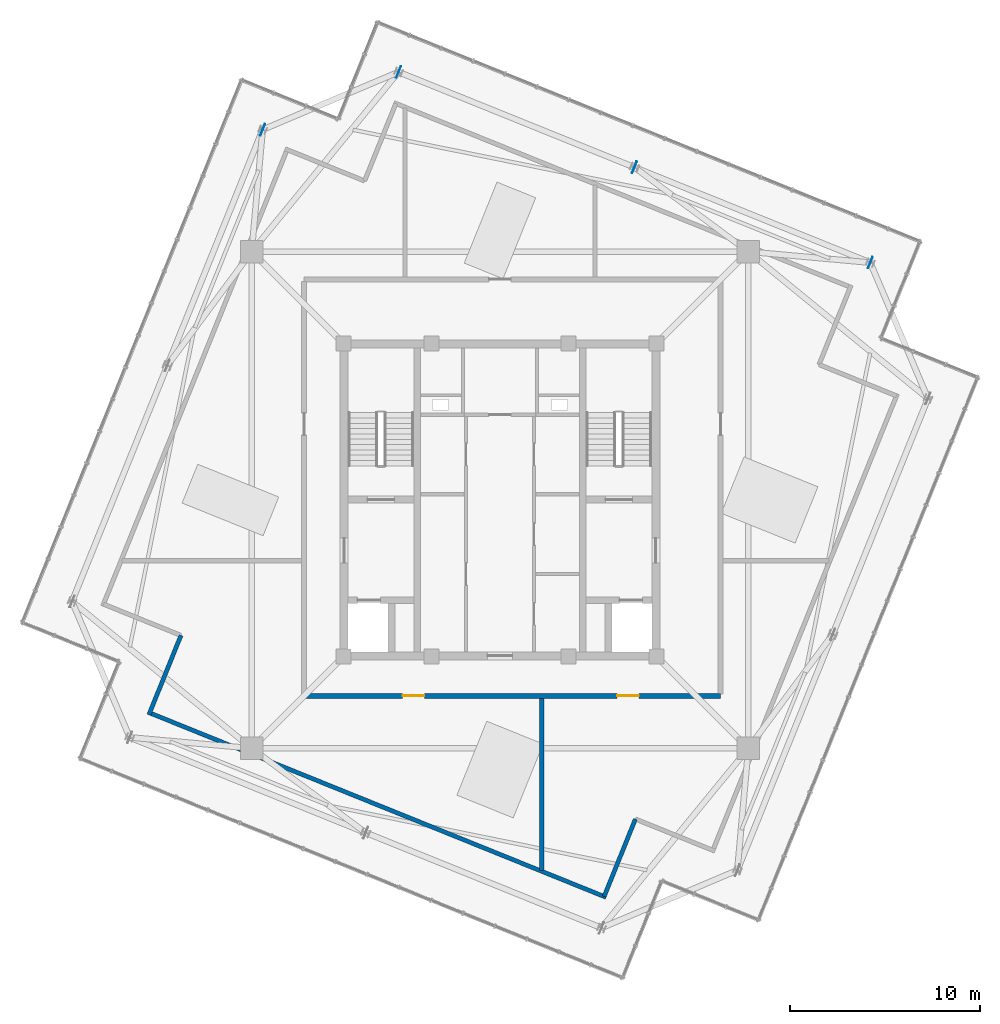
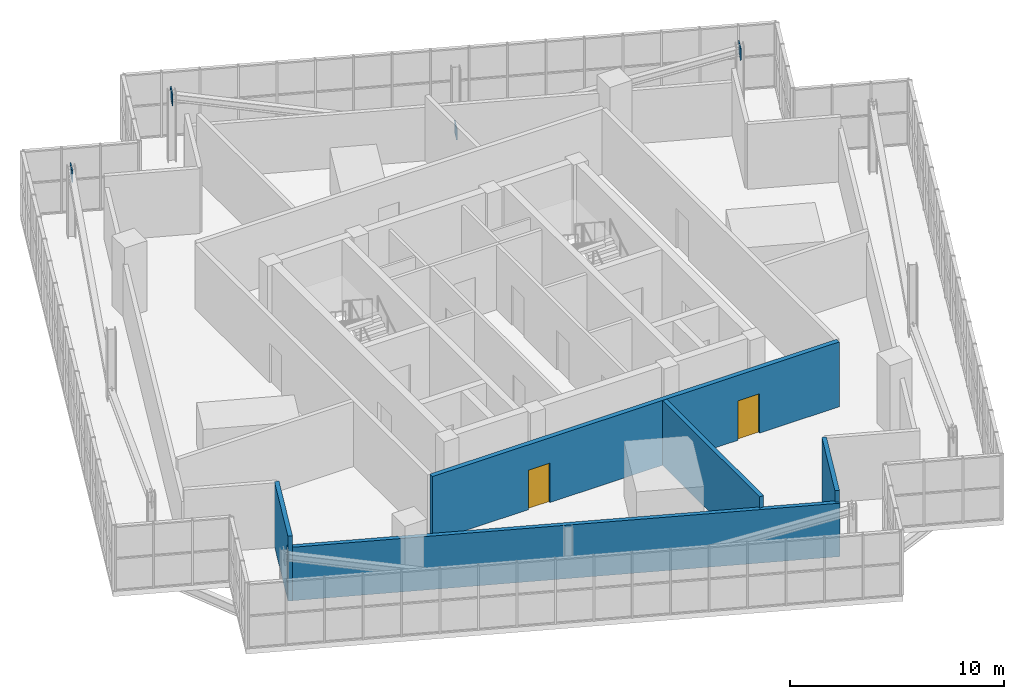
# One storey, part 22 of 26: 5 walls, 4 plates, 2 doors, 2 openings.
"""IFC4 building model written with IfcOpenShell, lengths in metres."""

from ifc_helpers import new_model, si_unit, direction, frame, frame_2d, origin, origin_2d, place, context, subcontext, project, spatial, rectangle, extrude, source, transform, mapped, material, layer, layer_set, type_object, element, fill, save


model = new_model("IFC4")

# Units and contexts
model_context = context("Model", 3, precision=1e-05, world=origin(), true_north=direction((0.0, 1.0)))
body_context = subcontext(model_context, "Body", "Model", "MODEL_VIEW")
ifc_project = project(units=[si_unit("LENGTHUNIT", "METRE"), si_unit("AREAUNIT", "SQUARE_METRE"), si_unit("VOLUMEUNIT", "CUBIC_METRE"), si_unit("PLANEANGLEUNIT", "RADIAN"), si_unit("MASSUNIT", "GRAM", prefix="KILO"), si_unit("THERMODYNAMICTEMPERATUREUNIT", "KELVIN")], contexts=[model_context])

# Site, building, storey
site_placement = place(None, origin())
site = spatial("IfcSite", under=ifc_project, at=site_placement, CompositionType="ELEMENT")
building_placement = place(site_placement, origin())
building = spatial("IfcBuilding", under=site, at=building_placement, Name="Kosmvard Interchange Tower", CompositionType="ELEMENT")
storey_placement = place(building_placement, frame((0.0, 0.0, 333.60009765625)))
storey = spatial("IfcBuildingStorey", under=building, at=storey_placement, Name="L82", CompositionType="ELEMENT", Elevation=333.60009765625)

# Plates
ifc_material_1 = material(Name="Steel S355", Category="steel")
ifc_layer_1 = layer(ifc_material_1, 0.0380859375, Name="Steel S355")
ifc_layer_set_1 = layer_set([ifc_layer_1], Name="Steel S355")
plate_type = type_object("IfcPlateType", Name="Lantern Base & Chord End Cap Stiffener 750x750x38 S355", PredefinedType="USERDEFINED", material=ifc_layer_set_1)
shared_shape_1 = source(origin(), body_context, "Body", "SweptSolid", [
    extrude(rectangle(XDim=0.64990234375, YDim=0.0380859375, at=origin_2d()), origin(), (0.0, 0.0, 1.0), 0.64990234375),
])
for number, where, z_axis, x_axis, name in (
    (1, (19.50439453125, 12.504150390625, 3.324951171875), (0.0, 0.0, 1.0), (0.374606593416, 0.927183854567, 0.0), "L82 Crown Diagrid Node Gusset Plate LAE"),
    (2, (-5.34423828125, 22.54345703125, 3.324951171875), (0.0, 0.0, 1.0), (0.374606593416, 0.927183854567, 0.0), "L82 Crown Diagrid Node Gusset Plate LBE"),
    (3, (7.080078125, 17.523681640625, 0.094970703125), (0.0, 0.0, 1.0), (0.374606593416, 0.927183854567, 0.0), "L82 Crown Diagrid Node Gusset Plate LME"),
    (4, (-12.504150390625, 19.50439453125, 3.324951171875), (0.0, 0.0, 1.0), (0.374606593416, 0.927183854567, 0.0), "L82 Crown Diagrid Node Gusset Plate LAN"),
):
    element("IfcPlate", number, at=place(storey_placement, frame(where, z_axis=z_axis, x_axis=x_axis)), inside=storey, type_object=plate_type, Name=name, ObjectType="STIFFENER_PLATE", PredefinedType="USERDEFINED", context=body_context, shape_type="MappedRepresentation", body=[
        mapped(shared_shape_1, transform((0.0, 0.0, 0.0), scale=1.0)),
    ])

# Wall, openings, doors
ifc_material_2 = material(Name="Concrete blockwork masonry", Category="masonry")
ifc_layer_2 = layer(ifc_material_2, 0.25, Name="Concrete blockwork masonry")
ifc_layer_set_2 = layer_set([ifc_layer_2], Name="Concrete blockwork masonry")
wall_type_1 = type_object("IfcWallType", Name="Exit Passage & Firefighting Lobby Wall 250", PredefinedType="PARTITIONING", material=ifc_layer_set_2)
wall_1_placement = place(storey_placement, frame((-10.320068359375, -10.320068359375, 0.0), z_axis=(0.0, 0.0, 1.0), x_axis=(1.0, 0.0, 0.0)))
wall_1 = element("IfcWall", 5, at=wall_1_placement, inside=storey, type_object=wall_type_1, Name="L82 Corridor Wall CS", PredefinedType="PARTITIONING", context=body_context, shape_type="SweptSolid", body=[
    extrude(rectangle(XDim=21.940185546875, YDim=0.25, at=frame_2d((10.97021484375, 0.0))), origin(), (0.0, 0.0, 1.0), 3.699951171875),
])
opening_1_placement = place(wall_1_placement, frame((16.490478515625, 0.0, 0.0)))
opening_1 = element("IfcOpeningElement", 6, at=opening_1_placement, cuts=wall_1, Name="Opening L82-D03", PredefinedType="OPENING", context=body_context, shape_type="SweptSolid", body=[
    extrude(rectangle(XDim=1.14990234375, YDim=2.25, at=frame_2d((0.574951171875, 1.125))), frame((0.0, 0.135009765625, 0.0), z_axis=(0.0, -1.0, 0.0), x_axis=(1.0, 0.0, 0.0)), (0.0, 0.0, 1.0), 0.27001953125),
])
opening_2_placement = place(wall_1_placement, frame((5.189453125, 0.0, 0.0)))
opening_2 = element("IfcOpeningElement", 7, at=opening_2_placement, cuts=wall_1, Name="Opening L82-D04", PredefinedType="OPENING", context=body_context, shape_type="SweptSolid", body=[
    extrude(rectangle(XDim=1.14990234375, YDim=2.25, at=frame_2d((0.574951171875, 1.125))), frame((0.0, 0.135009765625, 0.0), z_axis=(0.0, -1.0, 0.0), x_axis=(1.0, 0.0, 0.0)), (0.0, 0.0, 1.0), 0.27001953125),
])
ifc_material_3 = material(Name="Painted fire-rated steel leaf", Category="steel")
door_type = type_object("IfcDoorType", Name="Plant & Riser Fire Door 1150x2250 EI60", OperationType="NOTDEFINED", PredefinedType="DOOR", material=ifc_material_3)
shared_shape_2 = source(origin(), body_context, "Body", "SweptSolid", [
    extrude(rectangle(XDim=1.14990234375, YDim=2.25, at=frame_2d((0.574951171875, 1.125))), frame((0.0, 0.02490234375, 0.0), z_axis=(0.0, -1.0, 0.0), x_axis=(1.0, 0.0, 0.0)), (0.0, 0.0, 1.0), 0.050048828125),
])
door_1_placement = place(opening_1_placement, frame((1.14990234375, 0.0, 0.0), z_axis=(0.0, 0.0, 1.0), x_axis=(-1.0, 0.0, 0.0)))
door_1 = element("IfcDoor", 8, at=door_1_placement, inside=storey, type_object=door_type, Name="L82 Lantern Dimming Switchgear Plant Room Door", OperationType="SINGLE_SWING_LEFT", OverallHeight=2.25, OverallWidth=1.14990234375, PredefinedType="DOOR", context=body_context, shape_type="MappedRepresentation", body=[
    mapped(shared_shape_2, transform((0.0, 0.0, 0.0), scale=1.0)),
])
fill(opening_1, door_1)
door_2_placement = place(opening_2_placement, frame((1.14990234375, 0.0, 0.0), z_axis=(0.0, 0.0, 1.0), x_axis=(-1.0, 0.0, 0.0)))
door_2 = element("IfcDoor", 9, at=door_2_placement, inside=storey, type_object=door_type, Name="L82 Hydronic Circulation Pump Plant Room Door", OperationType="SINGLE_SWING_RIGHT", OverallHeight=2.25, OverallWidth=1.14990234375, PredefinedType="DOOR", context=body_context, shape_type="MappedRepresentation", body=[
    mapped(shared_shape_2, transform((0.0, 0.0, 0.0), scale=1.0)),
])
fill(opening_2, door_2)

# Walls
ifc_layer_3 = layer(ifc_material_2, 0.219970703125, Name="Concrete blockwork masonry")
ifc_layer_set_3 = layer_set([ifc_layer_3], Name="Concrete blockwork masonry")
wall_type_2 = type_object("IfcWallType", Name="Riser & Plant Enclosure Wall 220", PredefinedType="PARTITIONING", material=ifc_layer_set_3)
wall_2_placement = place(storey_placement, frame((-16.80615234375, -7.1337890625, 0.0), z_axis=(0.0, 0.0, 1.0), x_axis=(-0.374599091925, -0.927186885331, 0.0)))
element("IfcWall", 10, at=wall_2_placement, inside=storey, type_object=wall_type_2, Name="L82 Crown Plant Enclosure Wall NW2", PredefinedType="PARTITIONING", context=body_context, shape_type="SweptSolid", body=[
    extrude(rectangle(XDim=4.510009765625, YDim=0.219970703125, at=frame_2d((2.2548828125, 0.0))), origin(), (0.0, 0.0, 1.0), 3.699951171875),
])
wall_3_placement = place(storey_placement, frame((-18.556396484375, -11.172119140625, 0.0), z_axis=(0.0, 0.0, 1.0), x_axis=(0.927181788521, -0.374611707018, 0.0)))
element("IfcWall", 11, at=wall_3_placement, inside=storey, type_object=wall_type_2, Name="L82 Crown Plant Enclosure Wall W", PredefinedType="PARTITIONING", context=body_context, shape_type="SweptSolid", body=[
    extrude(rectangle(XDim=26.0400390625, YDim=0.219970703125, at=frame_2d((13.02001953125, 0.0))), origin(), (0.0, 0.0, 1.0), 3.0498046875),
])
wall_4_placement = place(storey_placement, frame((5.485595703125, -20.8857421875, 0.0), z_axis=(0.0, 0.0, 1.0), x_axis=(0.374593321469, 0.927189216671, 0.0)))
element("IfcWall", 12, at=wall_4_placement, inside=storey, type_object=wall_type_2, Name="L82 Crown Plant Enclosure Wall SW1", PredefinedType="PARTITIONING", context=body_context, shape_type="SweptSolid", body=[
    extrude(rectangle(XDim=4.39990234375, YDim=0.219970703125, at=frame_2d((2.199951171875, 0.0))), origin(), (0.0, 0.0, 1.0), 3.699951171875),
])
wall_5_placement = place(storey_placement, frame((2.199951171875, -10.449951171875, 0.0), z_axis=(0.0, 0.0, 1.0), x_axis=(0.0, -1.0, 0.0)))
element("IfcWall", 13, at=wall_5_placement, inside=storey, type_object=wall_type_2, Name="L82 Room Partition 04.1", PredefinedType="PARTITIONING", context=body_context, shape_type="SweptSolid", body=[
    extrude(rectangle(XDim=9.059814453125, YDim=0.219970703125, at=frame_2d((4.52978515625, 0.0))), origin(), (0.0, 0.0, 1.0), 3.699951171875),
])

save(model, "model.ifc")
